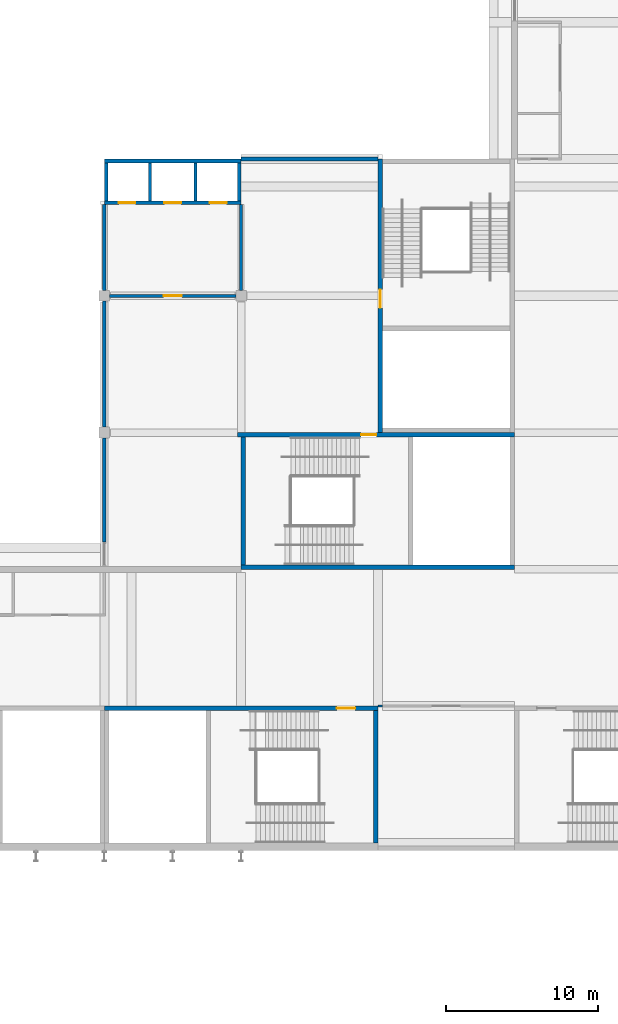
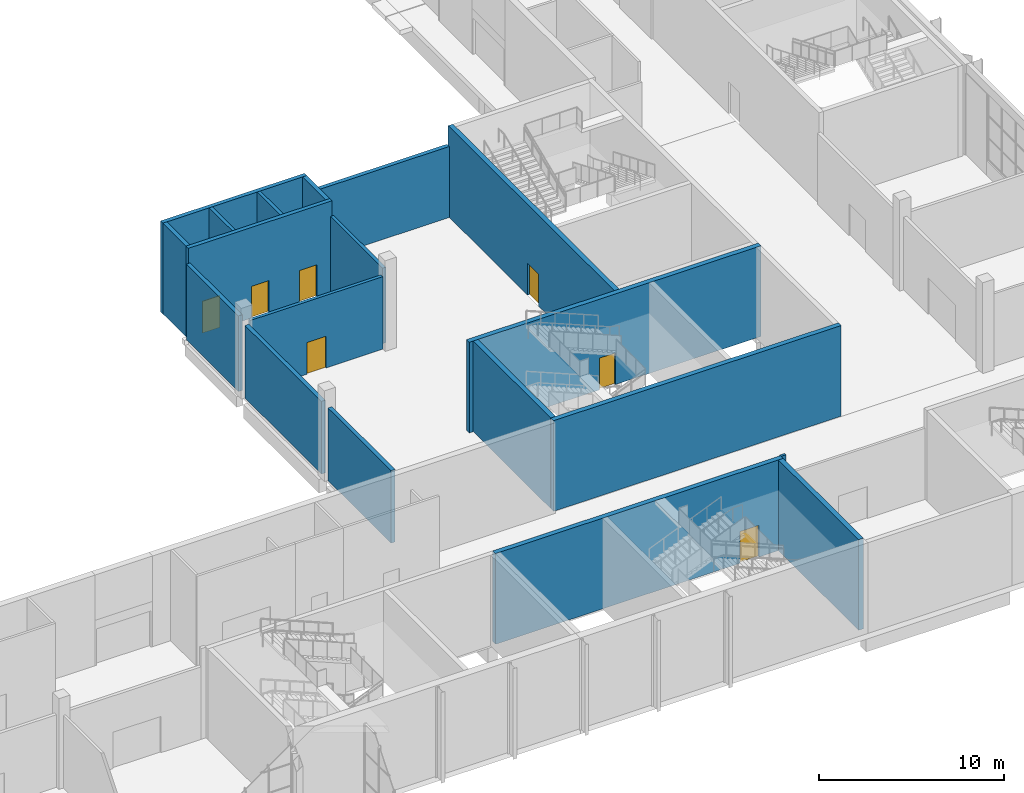
# One storey, part 41 of 89: 19 walls, 7 doors, 7 openings.
"""IFC4 building model written with IfcOpenShell, lengths in metres."""

from ifc_helpers import new_model, si_unit, direction, frame, frame_2d, origin, place, context, subcontext, project, spatial, rectangle, extrude, material, layer, layer_set, type_object, element, fill, save


model = new_model("IFC4")

# Units and contexts
model_context = context("Model", 3, precision=1e-05, world=origin(), true_north=direction((0.0, 1.0)))
body_context = subcontext(model_context, "Body", "Model", "MODEL_VIEW")
ifc_project = project(units=[si_unit("LENGTHUNIT", "METRE"), si_unit("AREAUNIT", "SQUARE_METRE"), si_unit("VOLUMEUNIT", "CUBIC_METRE"), si_unit("PLANEANGLEUNIT", "RADIAN"), si_unit("MASSUNIT", "GRAM", prefix="KILO")], contexts=[model_context])

# Site, building, storey
site_placement = place(None, origin())
site = spatial("IfcSite", under=ifc_project, at=site_placement, CompositionType="ELEMENT")
building_placement = place(site_placement, origin())
building = spatial("IfcBuilding", under=site, at=building_placement, Name="Silverbay Arena", CompositionType="ELEMENT")
storey_placement = place(building_placement, frame((0.0, 0.0, 22.0)))
storey = spatial("IfcBuildingStorey", under=building, at=storey_placement, Name="L03", CompositionType="ELEMENT", Elevation=22.0)

# Walls
ifc_material_1 = material(Name="Concrete Grade C45", Category="concrete")
ifc_layer_1 = layer(ifc_material_1, 0.25)
ifc_layer_set_1 = layer_set([ifc_layer_1], Name="Concrete Grade C45")
wall_type_1 = type_object("IfcWallType", Name="Bowl enclosure wall RC 250 EI 120", PredefinedType="SOLIDWALL", material=ifc_layer_set_1)
wall_1_placement = place(storey_placement, frame((162.0, 37.800048828125, 0.0), z_axis=(0.0, 0.0, 1.0), x_axis=(0.0, 1.0, 0.0)))
element("IfcWall", 1, at=wall_1_placement, inside=storey, type_object=wall_type_1, Name="Bowl enclosure wall, corner block SE-x", PredefinedType="SOLIDWALL", context=body_context, shape_type="SweptSolid", body=[
    extrude(rectangle(XDim=6.849853515625, YDim=0.25, at=frame_2d((3.4248046875, 0.0))), origin(), (0.0, 0.0, 1.0), 4.800048828125),
])
wall_2_placement = place(storey_placement, frame((162.0, 45.35009765625, 0.0), z_axis=(0.0, 0.0, 1.0), x_axis=(0.0, 1.0, 0.0)))
element("IfcWall", 2, at=wall_2_placement, inside=storey, type_object=wall_type_1, Name="Bowl enclosure wall, corner block SE-x", PredefinedType="SOLIDWALL", context=body_context, shape_type="SweptSolid", body=[
    extrude(rectangle(XDim=8.2998046875, YDim=0.25, at=frame_2d((4.14990234375, 0.0))), origin(), (0.0, 0.0, 1.0), 4.800048828125),
])
wall_3_placement = place(storey_placement, frame((162.0, 54.35009765625, 0.0), z_axis=(0.0, 0.0, 1.0), x_axis=(0.0, 1.0, 0.0)))
element("IfcWall", 3, at=wall_3_placement, inside=storey, type_object=wall_type_1, Name="Bowl enclosure wall, corner block SE-x", PredefinedType="SOLIDWALL", context=body_context, shape_type="SweptSolid", body=[
    extrude(rectangle(XDim=5.64990234375, YDim=0.25, at=frame_2d((2.824951171875, 0.0))), origin(), (0.0, 0.0, 1.0), 5.0),
])
wall_4_placement = place(storey_placement, frame((171.0, 63.0, 0.0), z_axis=(0.0, 0.0, 1.0), x_axis=(1.0, 0.0, 0.0)))
element("IfcWall", 4, at=wall_4_placement, inside=storey, type_object=wall_type_1, Name="Bowl enclosure wall, corner block SE-y", PredefinedType="SOLIDWALL", context=body_context, shape_type="SweptSolid", body=[
    extrude(rectangle(XDim=9.0, YDim=0.25, at=frame_2d((4.5, 0.0))), origin(), (0.0, 0.0, 1.0), 4.699951171875),
])

# Wall, opening, door
ifc_material_2 = material(Name="Concrete Grade C45", Category="concrete")
ifc_layer_2 = layer(ifc_material_2, 0.300048828125)
ifc_layer_set_2 = layer_set([ifc_layer_2], Name="Concrete Grade C45")
wall_type_2 = type_object("IfcWallType", Name="Core wall RC 300 EI 120", PredefinedType="SHEAR", material=ifc_layer_set_2)
wall_5_placement = place(storey_placement, frame((180.0, 26.85009765625, 0.0), z_axis=(0.0, 0.0, 1.0), x_axis=(-1.0, 0.0, 0.0)))
wall_5 = element("IfcWall", 5, at=wall_5_placement, inside=storey, type_object=wall_type_2, Name="Core wall ST-S4 L03 door side", PredefinedType="SHEAR", context=body_context, shape_type="SweptSolid", body=[
    extrude(rectangle(XDim=18.0, YDim=0.300048828125, at=frame_2d((9.0, 0.0))), origin(), (0.0, 0.0, 1.0), 6.0),
])
opening_1_placement = place(wall_5_placement, frame((1.5, 0.0, 0.0)))
opening_1 = element("IfcOpeningElement", 6, at=opening_1_placement, cuts=wall_5, Name="Opening L03-056", PredefinedType="OPENING", context=body_context, shape_type="SweptSolid", body=[
    extrude(rectangle(XDim=1.199951171875, YDim=2.10009765625, at=frame_2d((0.60009765625, 1.050048828125))), frame((0.0, 0.16015625, 0.0), z_axis=(0.0, -1.0, 0.0), x_axis=(1.0, 0.0, 0.0)), (0.0, 0.0, 1.0), 0.320068359375),
])
ifc_material_3 = material(Name="Steel fire door", Category="steel")
door_type_1 = type_object("IfcDoorType", Name="Stair door 1200 x 2100 fire door", OperationType="SINGLE_SWING_LEFT", PredefinedType="DOOR", material=ifc_material_3)
door_1_placement = place(opening_1_placement, origin())
door_1 = element("IfcDoor", 7, at=door_1_placement, inside=storey, type_object=door_type_1, Name="Stair door ST-S4 L03", OperationType="SINGLE_SWING_LEFT", OverallHeight=2.10009765625, OverallWidth=1.199951171875, PredefinedType="DOOR", context=body_context, shape_type="SweptSolid", body=[
    extrude(rectangle(XDim=1.199951171875, YDim=2.10009765625, at=frame_2d((0.60009765625, 1.050048828125))), frame((0.0, 0.02490234375, 0.0), z_axis=(0.0, -1.0, 0.0), x_axis=(1.0, 0.0, 0.0)), (0.0, 0.0, 1.0), 0.050048828125),
])
fill(opening_1, door_1)

# Wall
wall_6_placement = place(storey_placement, frame((179.85009765625, 26.699951171875, 0.0), z_axis=(0.0, 0.0, 1.0), x_axis=(0.0, -1.0, 0.0)))
element("IfcWall", 8, at=wall_6_placement, inside=storey, type_object=wall_type_2, Name="Core wall ST-S4 L03 end 1", PredefinedType="SHEAR", context=body_context, shape_type="SweptSolid", body=[
    extrude(rectangle(XDim=8.699951171875, YDim=0.300048828125, at=frame_2d((4.35009765625, 0.0))), origin(), (0.0, 0.0, 1.0), 6.0),
])

# Wall, opening, door
wall_7_placement = place(storey_placement, frame((170.75, 44.85009765625, 0.0), z_axis=(0.0, 0.0, 1.0), x_axis=(1.0, 0.0, 0.0)))
wall_7 = element("IfcWall", 9, at=wall_7_placement, inside=storey, type_object=wall_type_2, Name="Core wall ST-SE1 L03 door side", PredefinedType="SHEAR", context=body_context, shape_type="SweptSolid", body=[
    extrude(rectangle(XDim=18.25, YDim=0.300048828125, at=frame_2d((9.125, 0.0))), origin(), (0.0, 0.0, 1.0), 6.0),
])
opening_2_placement = place(wall_7_placement, frame((8.14990234375, 0.0, 0.0)))
opening_2 = element("IfcOpeningElement", 10, at=opening_2_placement, cuts=wall_7, Name="Opening L03-071", PredefinedType="OPENING", context=body_context, shape_type="SweptSolid", body=[
    extrude(rectangle(XDim=1.0, YDim=2.10009765625, at=frame_2d((0.5, 1.050048828125))), frame((0.0, 0.16015625, 0.0), z_axis=(0.0, -1.0, 0.0), x_axis=(1.0, 0.0, 0.0)), (0.0, 0.0, 1.0), 0.320068359375),
])
ifc_material_4 = material(Name="Steel fire door", Category="steel")
door_type_2 = type_object("IfcDoorType", Name="Stair door 1000 x 2100 fire door", OperationType="SINGLE_SWING_LEFT", PredefinedType="DOOR", material=ifc_material_4)
door_2_placement = place(opening_2_placement, frame((1.0, 0.0, 0.0), z_axis=(0.0, 0.0, 1.0), x_axis=(-1.0, 0.0, 0.0)))
door_2 = element("IfcDoor", 11, at=door_2_placement, inside=storey, type_object=door_type_2, Name="Stair door ST-SE1 L03", OperationType="SINGLE_SWING_RIGHT", OverallHeight=2.10009765625, OverallWidth=1.0, PredefinedType="DOOR", context=body_context, shape_type="SweptSolid", body=[
    extrude(rectangle(XDim=1.0, YDim=2.10009765625, at=frame_2d((0.5, 1.050048828125))), frame((0.0, 0.02490234375, 0.0), z_axis=(0.0, -1.0, 0.0), x_axis=(1.0, 0.0, 0.0)), (0.0, 0.0, 1.0), 0.050048828125),
])
fill(opening_2, door_2)

# Walls
wall_8_placement = place(storey_placement, frame((171.0, 36.14990234375, 0.0), z_axis=(0.0, 0.0, 1.0), x_axis=(1.0, 0.0, 0.0)))
element("IfcWall", 12, at=wall_8_placement, inside=storey, type_object=wall_type_2, Name="Core wall ST-SE1 L03 far side", PredefinedType="SHEAR", context=body_context, shape_type="SweptSolid", body=[
    extrude(rectangle(XDim=18.0, YDim=0.300048828125, at=frame_2d((9.0, 0.0))), origin(), (0.0, 0.0, 1.0), 6.0),
])
wall_9_placement = place(storey_placement, frame((171.14990234375, 44.699951171875, 0.0), z_axis=(0.0, 0.0, 1.0), x_axis=(0.0, -1.0, 0.0)))
element("IfcWall", 13, at=wall_9_placement, inside=storey, type_object=wall_type_2, Name="Core wall ST-SE1 L03 end 1", PredefinedType="SHEAR", context=body_context, shape_type="SweptSolid", body=[
    extrude(rectangle(XDim=8.39990234375, YDim=0.300048828125, at=frame_2d((4.199951171875, 0.0))), origin(), (0.0, 0.0, 1.0), 6.0),
])

# Wall, opening, door
wall_10_placement = place(storey_placement, frame((180.14990234375, 63.0, 0.0), z_axis=(0.0, 0.0, 1.0), x_axis=(0.0, -1.0, 0.0)))
wall_10 = element("IfcWall", 14, at=wall_10_placement, inside=storey, type_object=wall_type_2, Name="Core wall ST-SE2 L03 door side", PredefinedType="SHEAR", context=body_context, shape_type="SweptSolid", body=[
    extrude(rectangle(XDim=18.0, YDim=0.300048828125, at=frame_2d((9.0, 0.0))), origin(), (0.0, 0.0, 1.0), 6.0),
])
opening_3_placement = place(wall_10_placement, frame((8.60009765625, 0.0, 0.0)))
opening_3 = element("IfcOpeningElement", 15, at=opening_3_placement, cuts=wall_10, Name="Opening L03-072", PredefinedType="OPENING", context=body_context, shape_type="SweptSolid", body=[
    extrude(rectangle(XDim=1.199951171875, YDim=2.10009765625, at=frame_2d((0.60009765625, 1.050048828125))), frame((0.0, 0.16015625, 0.0), z_axis=(0.0, -1.0, 0.0), x_axis=(1.0, 0.0, 0.0)), (0.0, 0.0, 1.0), 0.320068359375),
])
door_3_placement = place(opening_3_placement, origin())
door_3 = element("IfcDoor", 16, at=door_3_placement, inside=storey, type_object=door_type_1, Name="Stair door ST-SE2 L03", OperationType="SINGLE_SWING_RIGHT", OverallHeight=2.10009765625, OverallWidth=1.199951171875, PredefinedType="DOOR", context=body_context, shape_type="SweptSolid", body=[
    extrude(rectangle(XDim=1.199951171875, YDim=2.10009765625, at=frame_2d((0.60009765625, 1.050048828125))), frame((0.0, 0.02490234375, 0.0), z_axis=(0.0, -1.0, 0.0), x_axis=(1.0, 0.0, 0.0)), (0.0, 0.0, 1.0), 0.050048828125),
])
fill(opening_3, door_3)

# Walls
ifc_material_5 = material(Name="Concrete Grade C45", Category="concrete")
ifc_layer_3 = layer(ifc_material_5, 0.199951171875)
ifc_layer_set_3 = layer_set([ifc_layer_3], Name="Concrete Grade C45")
wall_type_3 = type_object("IfcWallType", Name="Lift shaft divider RC 200 EI 120", PredefinedType="SHEAR", material=ifc_layer_set_3)
for number, where, z_axis, x_axis, name in (
    (17, (165.0, 60.25, 0.0), (0.0, 0.0, 1.0), (0.0, 1.0, 0.0), "Lift shaft divider LB-SE L03 1"),
    (18, (168.0, 60.25, 0.0), (0.0, 0.0, 1.0), (0.0, 1.0, 0.0), "Lift shaft divider LB-SE L03 2"),
):
    element("IfcWall", number, at=place(storey_placement, frame(where, z_axis=z_axis, x_axis=x_axis)), inside=storey, type_object=wall_type_3, Name=name, PredefinedType="SHEAR", context=body_context, shape_type="SweptSolid", body=[
        extrude(rectangle(XDim=2.5, YDim=0.199951171875, at=frame_2d((1.25, 0.0))), origin(), (0.0, 0.0, 1.0), 6.0),
    ])

# Wall, openings, doors
ifc_material_6 = material(Name="Concrete Grade C45", Category="concrete")
ifc_layer_4 = layer(ifc_material_6, 0.25)
ifc_layer_set_4 = layer_set([ifc_layer_4], Name="Concrete Grade C45")
wall_type_4 = type_object("IfcWallType", Name="Lift shaft wall RC 250 EI 120", PredefinedType="SHEAR", material=ifc_layer_set_4)
wall_11_placement = place(storey_placement, frame((162.0, 60.125, 0.0), z_axis=(0.0, 0.0, 1.0), x_axis=(1.0, 0.0, 0.0)))
wall_11 = element("IfcWall", 19, at=wall_11_placement, inside=storey, type_object=wall_type_4, Name="Lift shaft wall LB-SE L03 landing side", PredefinedType="SHEAR", context=body_context, shape_type="SweptSolid", body=[
    extrude(rectangle(XDim=9.0, YDim=0.25, at=frame_2d((4.5, 0.0))), origin(), (0.0, 0.0, 1.0), 6.0),
])
opening_4_placement = place(wall_11_placement, frame((0.949951171875, 0.0, 0.0)))
opening_4 = element("IfcOpeningElement", 20, at=opening_4_placement, cuts=wall_11, Name="Opening L03-080", PredefinedType="OPENING", context=body_context, shape_type="SweptSolid", body=[
    extrude(rectangle(XDim=1.10009765625, YDim=2.10009765625, at=frame_2d((0.550048828125, 1.050048828125))), frame((0.0, 0.135009765625, 0.0), z_axis=(0.0, -1.0, 0.0), x_axis=(1.0, 0.0, 0.0)), (0.0, 0.0, 1.0), 0.27001953125),
])
opening_5_placement = place(wall_11_placement, frame((3.949951171875, 0.0, 0.0)))
opening_5 = element("IfcOpeningElement", 21, at=opening_5_placement, cuts=wall_11, Name="Opening L03-081", PredefinedType="OPENING", context=body_context, shape_type="SweptSolid", body=[
    extrude(rectangle(XDim=1.10009765625, YDim=2.10009765625, at=frame_2d((0.550048828125, 1.050048828125))), frame((0.0, 0.135009765625, 0.0), z_axis=(0.0, -1.0, 0.0), x_axis=(1.0, 0.0, 0.0)), (0.0, 0.0, 1.0), 0.27001953125),
])
opening_6_placement = place(wall_11_placement, frame((6.949951171875, 0.0, 0.0)))
opening_6 = element("IfcOpeningElement", 22, at=opening_6_placement, cuts=wall_11, Name="Opening L03-082", PredefinedType="OPENING", context=body_context, shape_type="SweptSolid", body=[
    extrude(rectangle(XDim=1.10009765625, YDim=2.10009765625, at=frame_2d((0.550048828125, 1.050048828125))), frame((0.0, 0.135009765625, 0.0), z_axis=(0.0, -1.0, 0.0), x_axis=(1.0, 0.0, 0.0)), (0.0, 0.0, 1.0), 0.27001953125),
])
ifc_material_7 = material(Name="Stainless steel", Category="steel")
door_type_3 = type_object("IfcDoorType", Name="LD1 lift landing door 1100 x 2100", OperationType="DOUBLE_DOOR_SLIDING", PredefinedType="DOOR", material=ifc_material_7)
door_4_placement = place(opening_4_placement, origin())
door_4 = element("IfcDoor", 23, at=door_4_placement, inside=storey, type_object=door_type_3, Name="Lift landing door LF6 L03", OperationType="DOUBLE_DOOR_SLIDING", OverallHeight=2.10009765625, OverallWidth=1.10009765625, PredefinedType="DOOR", context=body_context, shape_type="SweptSolid", body=[
    extrude(rectangle(XDim=1.10009765625, YDim=2.10009765625, at=frame_2d((0.550048828125, 1.050048828125))), frame((0.0, 0.02490234375, 0.0), z_axis=(0.0, -1.0, 0.0), x_axis=(1.0, 0.0, 0.0)), (0.0, 0.0, 1.0), 0.050048828125),
])
fill(opening_4, door_4)
door_5_placement = place(opening_5_placement, origin())
door_5 = element("IfcDoor", 24, at=door_5_placement, inside=storey, type_object=door_type_3, Name="Lift landing door LF7 L03", OperationType="DOUBLE_DOOR_SLIDING", OverallHeight=2.10009765625, OverallWidth=1.10009765625, PredefinedType="DOOR", context=body_context, shape_type="SweptSolid", body=[
    extrude(rectangle(XDim=1.10009765625, YDim=2.10009765625, at=frame_2d((0.550048828125, 1.050048828125))), frame((0.0, 0.02490234375, 0.0), z_axis=(0.0, -1.0, 0.0), x_axis=(1.0, 0.0, 0.0)), (0.0, 0.0, 1.0), 0.050048828125),
])
fill(opening_5, door_5)
door_6_placement = place(opening_6_placement, origin())
door_6 = element("IfcDoor", 25, at=door_6_placement, inside=storey, type_object=door_type_3, Name="Lift landing door LF8 L03", OperationType="DOUBLE_DOOR_SLIDING", OverallHeight=2.10009765625, OverallWidth=1.10009765625, PredefinedType="DOOR", context=body_context, shape_type="SweptSolid", body=[
    extrude(rectangle(XDim=1.10009765625, YDim=2.10009765625, at=frame_2d((0.550048828125, 1.050048828125))), frame((0.0, 0.02490234375, 0.0), z_axis=(0.0, -1.0, 0.0), x_axis=(1.0, 0.0, 0.0)), (0.0, 0.0, 1.0), 0.050048828125),
])
fill(opening_6, door_6)

# Walls
wall_12_placement = place(storey_placement, frame((162.0, 62.875, 0.0), z_axis=(0.0, 0.0, 1.0), x_axis=(1.0, 0.0, 0.0)))
element("IfcWall", 26, at=wall_12_placement, inside=storey, type_object=wall_type_4, Name="Lift shaft wall LB-SE L03 back", PredefinedType="SHEAR", context=body_context, shape_type="SweptSolid", body=[
    extrude(rectangle(XDim=9.0, YDim=0.25, at=frame_2d((4.5, 0.0))), origin(), (0.0, 0.0, 1.0), 6.0),
])
for number, where, z_axis, x_axis, name in (
    (27, (162.125, 60.25, 0.0), (0.0, 0.0, 1.0), (0.0, 1.0, 0.0), "Lift shaft wall LB-SE L03 end"),
    (28, (170.875, 60.25, 0.0), (0.0, 0.0, 1.0), (0.0, 1.0, 0.0), "Lift shaft wall LB-SE L03 end"),
):
    element("IfcWall", number, at=place(storey_placement, frame(where, z_axis=z_axis, x_axis=x_axis)), inside=storey, type_object=wall_type_4, Name=name, PredefinedType="SHEAR", context=body_context, shape_type="SweptSolid", body=[
        extrude(rectangle(XDim=2.5, YDim=0.25, at=frame_2d((1.25, 0.0))), origin(), (0.0, 0.0, 1.0), 6.0),
    ])
ifc_material_8 = material(Name="Gypsum board partition on steel studs", Category="steel")
ifc_layer_5 = layer(ifc_material_8, 0.14990234375)
ifc_layer_set_5 = layer_set([ifc_layer_5], Name="Gypsum board partition on steel studs")
wall_type_5 = type_object("IfcWallType", Name="Partition 150 EI 60", PredefinedType="PARTITIONING", material=ifc_layer_set_5)
wall_13_placement = place(storey_placement, frame((180.0, 27.0, 0.0), z_axis=(0.0, 0.0, 1.0), x_axis=(1.0, 0.0, 0.0)))
element("IfcWall", 29, at=wall_13_placement, inside=storey, type_object=wall_type_5, Name="Partition wall", PredefinedType="PARTITIONING", context=body_context, shape_type="SweptSolid", body=[
    extrude(rectangle(XDim=0.300048828125, YDim=0.14990234375, at=frame_2d((0.14990234375, 0.0))), origin(), (0.0, 0.0, 1.0), 6.0),
])

# Wall, opening, door
ifc_material_9 = material(Name="Masonry blockwork partition", Category="masonry")
ifc_layer_6 = layer(ifc_material_9, 0.199951171875)
ifc_layer_set_6 = layer_set([ifc_layer_6], Name="Masonry blockwork partition")
wall_type_6 = type_object("IfcWallType", Name="Partition 200 EI 120", PredefinedType="PARTITIONING", material=ifc_layer_set_6)
wall_14_placement = place(storey_placement, frame((162.35009765625, 54.0, 0.0), z_axis=(0.0, 0.0, 1.0), x_axis=(1.0, 0.0, 0.0)))
wall_14 = element("IfcWall", 30, at=wall_14_placement, inside=storey, type_object=wall_type_6, Name="Partition wall", PredefinedType="PARTITIONING", context=body_context, shape_type="SweptSolid", body=[
    extrude(rectangle(XDim=8.2998046875, YDim=0.199951171875, at=frame_2d((4.14990234375, 0.0))), origin(), (0.0, 0.0, 1.0), 4.800048828125),
])
opening_7_placement = place(wall_14_placement, frame((3.550048828125, 0.0, 0.0)))
opening_7 = element("IfcOpeningElement", 31, at=opening_7_placement, cuts=wall_14, Name="Opening L03-022", PredefinedType="OPENING", context=body_context, shape_type="SweptSolid", body=[
    extrude(rectangle(XDim=1.199951171875, YDim=2.10009765625, at=frame_2d((0.60009765625, 1.050048828125))), frame((0.0, 0.10986328125, 0.0), z_axis=(0.0, -1.0, 0.0), x_axis=(1.0, 0.0, 0.0)), (0.0, 0.0, 1.0), 0.219970703125),
])
ifc_material_10 = material(Name="Steel faced timber", Category="steel")
door_type_4 = type_object("IfcDoorType", Name="Single leaf door 1200 x 2100 FD60", OperationType="SINGLE_SWING_LEFT", PredefinedType="DOOR", material=ifc_material_10)
door_7_placement = place(opening_7_placement, frame((1.199951171875, 0.0, 0.0), z_axis=(0.0, 0.0, 1.0), x_axis=(-1.0, 0.0, 0.0)))
door_7 = element("IfcDoor", 32, at=door_7_placement, inside=storey, type_object=door_type_4, Name="Door L03-022", OperationType="SINGLE_SWING_LEFT", OverallHeight=2.10009765625, OverallWidth=1.199951171875, PredefinedType="DOOR", context=body_context, shape_type="SweptSolid", body=[
    extrude(rectangle(XDim=1.199951171875, YDim=2.10009765625, at=frame_2d((0.60009765625, 1.050048828125))), frame((0.0, 0.02490234375, 0.0), z_axis=(0.0, -1.0, 0.0), x_axis=(1.0, 0.0, 0.0)), (0.0, 0.0, 1.0), 0.050048828125),
])
fill(opening_7, door_7)

# Wall
wall_15_placement = place(storey_placement, frame((171.0, 54.35009765625, 0.0), z_axis=(0.0, 0.0, 1.0), x_axis=(0.0, 1.0, 0.0)))
element("IfcWall", 33, at=wall_15_placement, inside=storey, type_object=wall_type_6, Name="Partition wall", PredefinedType="PARTITIONING", context=body_context, shape_type="SweptSolid", body=[
    extrude(rectangle(XDim=5.64990234375, YDim=0.199951171875, at=frame_2d((2.824951171875, 0.0))), origin(), (0.0, 0.0, 1.0), 5.0),
])

save(model, "model.ifc")
